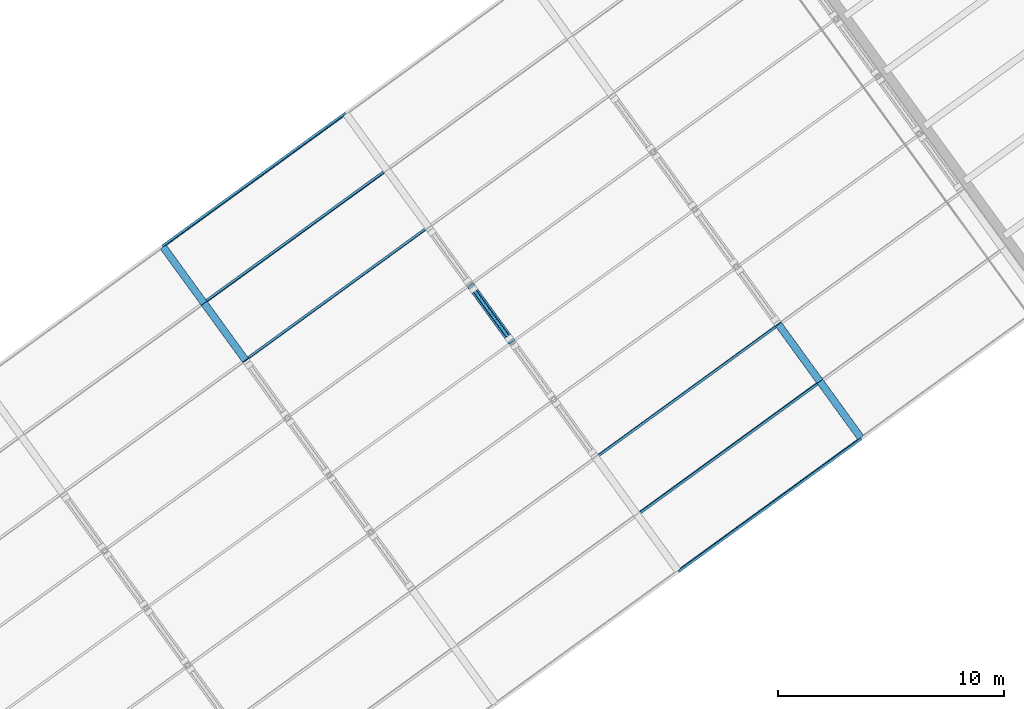
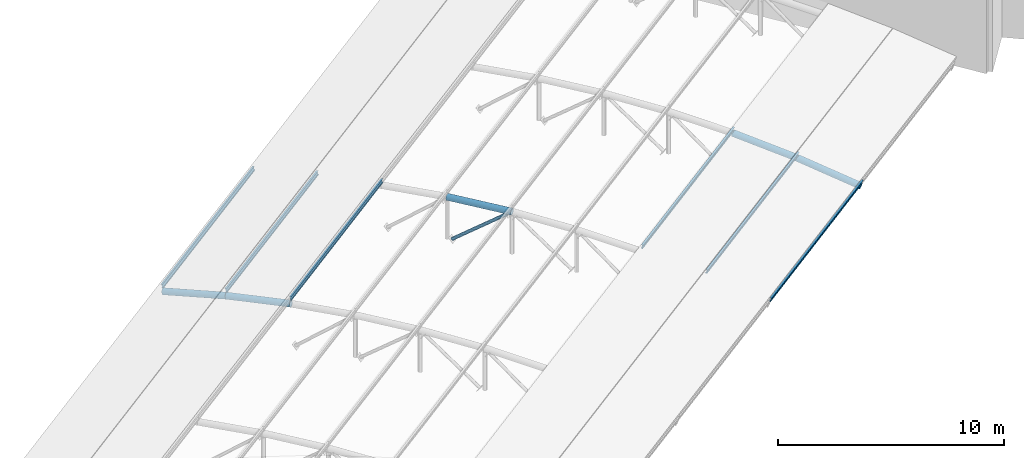
# One storey, part 18 of 41: 6 beams, 6 members.
"""IFC4 building model written with IfcOpenShell, lengths in metres."""

from ifc_helpers import new_model, si_unit, direction, frame, origin, origin_2d, place, context, subcontext, project, spatial, hollow_circle, i_section, extrude, material, material_profile, profile_set, type_object, element, save


model = new_model("IFC4")

# Units and contexts
model_context = context("Model", 3, precision=1e-05, world=origin(), true_north=direction((0.0, 1.0)))
body_context = subcontext(model_context, "Body", "Model", "MODEL_VIEW")
ifc_project = project(units=[si_unit("LENGTHUNIT", "METRE"), si_unit("AREAUNIT", "SQUARE_METRE"), si_unit("VOLUMEUNIT", "CUBIC_METRE"), si_unit("PLANEANGLEUNIT", "RADIAN"), si_unit("MASSUNIT", "GRAM", prefix="KILO")], contexts=[model_context])

# Site, building, storey
site_placement = place(None, origin())
site = spatial("IfcSite", under=ifc_project, at=site_placement, CompositionType="ELEMENT")
building_placement = place(site_placement, origin())
building = spatial("IfcBuilding", under=site, at=building_placement, Name="Okhra Congress Centre", CompositionType="ELEMENT")
storey_placement = place(building_placement, frame((0.0, 0.0, 21.60009765625)))
storey = spatial("IfcBuildingStorey", under=building, at=storey_placement, Name="ROOF", CompositionType="ELEMENT", Elevation=21.60009765625)

# Members
ifc_material_1 = material(Name="Steel S355J2H", Category="steel")
ifc_material_profile_1 = material_profile(ifc_material_1, hollow_circle(Radius=0.084228515625, WallThickness=0.00634765625, at=origin_2d()), Name="CHS 168.3x6.3")
ifc_profile_set_1 = profile_set([ifc_material_profile_1], Name="Steel S355J2H")
member_type_1 = type_object("IfcMemberType", Name="CHS 168.3x6.3", PredefinedType="BRACE", material=ifc_profile_set_1)
member_placement = place(storey_placement, frame((244.599609375, 203.8056640625, -0.812255859375), z_axis=(0.460427799508, -0.633760263966, 0.621573945125), x_axis=(0.809032767915, 0.587763541264, 0.0)))
element("IfcMember", 1, at=member_placement, inside=storey, type_object=member_type_1, Name="Truss 5 diagonal 10", PredefinedType="BRACE", context=body_context, shape_type="SweptSolid", body=[
    extrude(hollow_circle(Radius=0.084228515625, WallThickness=0.00634765625, at=origin_2d()), origin(), (0.0, 0.0, 1.0), 3.40576171875),
])
ifc_material_profile_2 = material_profile(ifc_material_1, hollow_circle(Radius=0.161865234375, WallThickness=0.012451171875, at=origin_2d()), Name="CHS 323.9x12.5")
ifc_profile_set_2 = profile_set([ifc_material_profile_2], Name="Steel S355J2H")
member_type_2 = type_object("IfcMemberType", Name="CHS 323.9x12.5", PredefinedType="CHORD", material=ifc_profile_set_2)
for number, where, z_axis, x_axis, name in (
    (2, (234.52587890625, 200.65771484375, 1.119384765625), (-0.581543271945, 0.800496412425, -0.144958326942), (-0.809041704036, -0.587751240858, 0.0), "Truss 4 top chord 12"),
    (3, (232.69921875, 203.172119140625, 0.6640625), (-0.575681616785, 0.792290860201, -0.202153082929), (-0.808993389874, -0.587817739729, 0.0), "Truss 4 top chord 13"),
    (4, (246.301025390625, 201.4638671875, 1.484619140625), (-0.58758902694, 0.808634422788, -0.029146281098), (-0.808978111554, -0.587838766181, 0.0), "Truss 5 top chord 10"),
    (5, (261.7109375, 197.2666015625, 0.029052734375), (-0.575629649566, 0.792326309435, 0.202162127805), (-0.80903112876, -0.587765797488, 0.0), "Truss 6 top chord 6"),
    (6, (259.90283203125, 199.75537109375, 0.6640625), (-0.581594707866, 0.800460229362, 0.144951774712), (-0.809004349852, -0.587802655592, 0.0), "Truss 6 top chord 7"),
):
    element("IfcMember", number, at=place(storey_placement, frame(where, z_axis=z_axis, x_axis=x_axis)), inside=storey, type_object=member_type_2, Name=name, PredefinedType="CHORD", context=body_context, shape_type="SweptSolid", body=[
        extrude(hollow_circle(Radius=0.161865234375, WallThickness=0.012451171875, at=origin_2d()), origin(), (0.0, 0.0, 1.0), 3.14111328125),
    ])

# Beams
ifc_material_2 = material(Name="Steel S355J2", Category="steel")
ifc_material_profile_3 = material_profile(ifc_material_2, i_section(OverallWidth=0.10009765625, OverallDepth=0.199951171875, WebThickness=0.005615234375, FlangeThickness=0.008544921875, FilletRadius=0.011962890625, at=origin_2d()), Name="IPE 200")
ifc_profile_set_3 = profile_set([ifc_material_profile_3], Name="Steel S355J2")
beam_type = type_object("IfcBeamType", Name="IPE 200", PredefinedType="BEAM", material=ifc_profile_set_3)
beam_1_placement = place(storey_placement, frame((253.656005859375, 191.340576171875, 0.281005859375), z_axis=(0.809010490052, 0.58779420462, 0.0), x_axis=(-0.571950135763, 0.787203507592, 0.230615870737)))
element("IfcBeam", 7, at=beam_1_placement, inside=storey, type_object=beam_type, Name="Purlin 6.35", PredefinedType="BEAM", context=body_context, shape_type="SweptSolid", body=[
    extrude(i_section(OverallWidth=0.10009765625, OverallDepth=0.199951171875, WebThickness=0.005615234375, FlangeThickness=0.008544921875, FilletRadius=0.011962890625, at=origin_2d()), origin(), (0.0, 0.0, 1.0), 10.0),
])
beam_2_placement = place(storey_placement, frame((251.839111328125, 193.84130859375, 0.919189453125), z_axis=(0.809022099746, 0.587778225288, 0.0), x_axis=(-0.578848553316, 0.796731236188, 0.173648177667)))
element("IfcBeam", 8, at=beam_2_placement, inside=storey, type_object=beam_type, Name="Purlin 7.41", PredefinedType="BEAM", context=body_context, shape_type="SweptSolid", body=[
    extrude(i_section(OverallWidth=0.10009765625, OverallDepth=0.199951171875, WebThickness=0.005615234375, FlangeThickness=0.008544921875, FilletRadius=0.011962890625, at=origin_2d()), origin(), (0.0, 0.0, 1.0), 9.999755859375),
])
beam_3_placement = place(storey_placement, frame((250.00341796875, 196.36767578125, 1.376708984375), z_axis=(0.809018924928, 0.587782595105, 0.0), x_axis=(-0.583808219471, 0.803548628377, 0.116092914131)))
element("IfcBeam", 9, at=beam_3_placement, inside=storey, type_object=beam_type, Name="Purlin 8.47", PredefinedType="BEAM", context=body_context, shape_type="SweptSolid", body=[
    extrude(i_section(OverallWidth=0.10009765625, OverallDepth=0.199951171875, WebThickness=0.005615234375, FlangeThickness=0.008544921875, FilletRadius=0.011962890625, at=origin_2d()), origin(), (0.0, 0.0, 1.0), 10.000244140625),
])
for number, where, z_axis, x_axis, name in (
    (10, (234.50830078125, 200.681884765625, 1.376708984375), (0.809010490052, 0.58779420462, 0.0), (-0.583819750487, 0.803540250535, -0.116092914131), "Purlin 12.70"),
    (11, (232.672607421875, 203.20849609375, 0.919189453125), (0.809030534284, 0.587766615755, 0.0), (-0.578837120157, 0.796739542587, -0.173648177667), "Purlin 13.76"),
):
    element("IfcBeam", number, at=place(storey_placement, frame(where, z_axis=z_axis, x_axis=x_axis)), inside=storey, type_object=beam_type, Name=name, PredefinedType="BEAM", context=body_context, shape_type="SweptSolid", body=[
        extrude(i_section(OverallWidth=0.10009765625, OverallDepth=0.199951171875, WebThickness=0.005615234375, FlangeThickness=0.008544921875, FilletRadius=0.011962890625, at=origin_2d()), origin(), (0.0, 0.0, 1.0), 10.0),
    ])
beam_4_placement = place(storey_placement, frame((230.85595703125, 205.709228515625, 0.281005859375), z_axis=(0.809022099746, 0.587778225288, 0.0), x_axis=(-0.571934587156, 0.787214804344, -0.230615870737)))
element("IfcBeam", 12, at=beam_4_placement, inside=storey, type_object=beam_type, Name="Purlin 14.82", PredefinedType="BEAM", context=body_context, shape_type="SweptSolid", body=[
    extrude(i_section(OverallWidth=0.10009765625, OverallDepth=0.199951171875, WebThickness=0.005615234375, FlangeThickness=0.008544921875, FilletRadius=0.011962890625, at=origin_2d()), origin(), (0.0, 0.0, 1.0), 9.999755859375),
])

save(model, "model.ifc")
